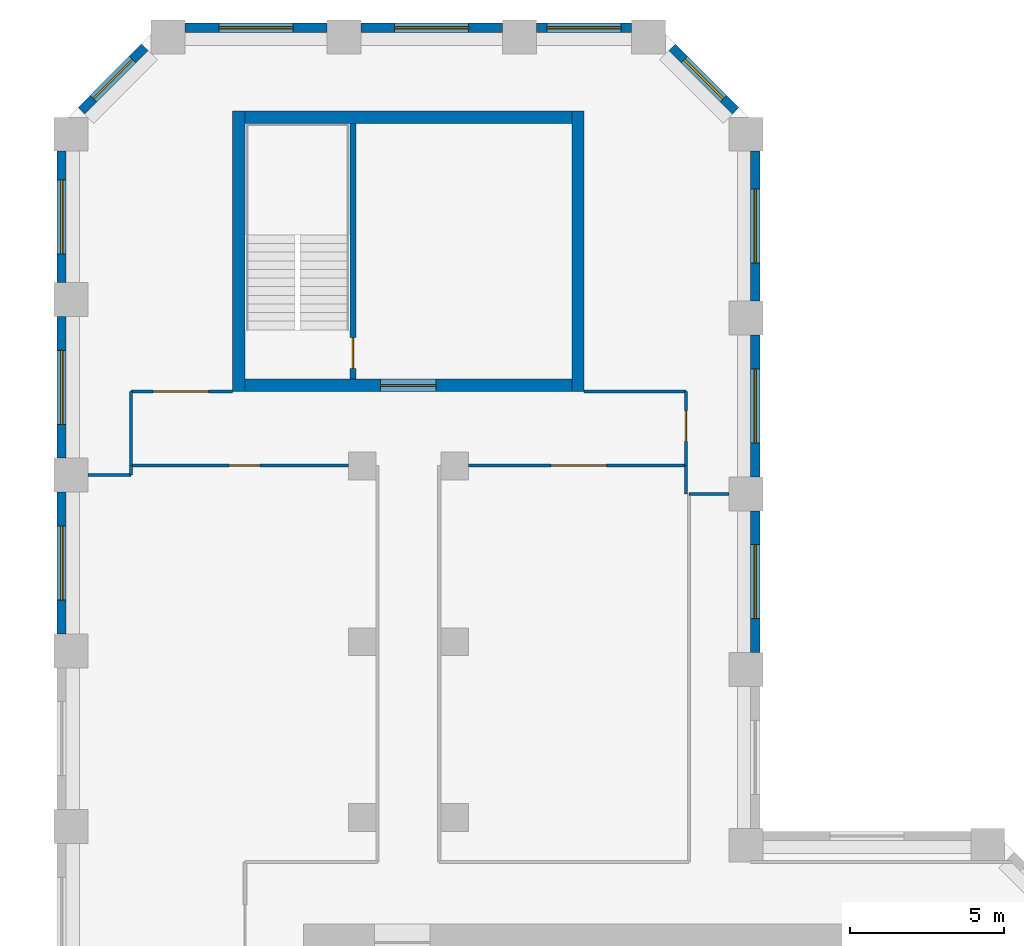
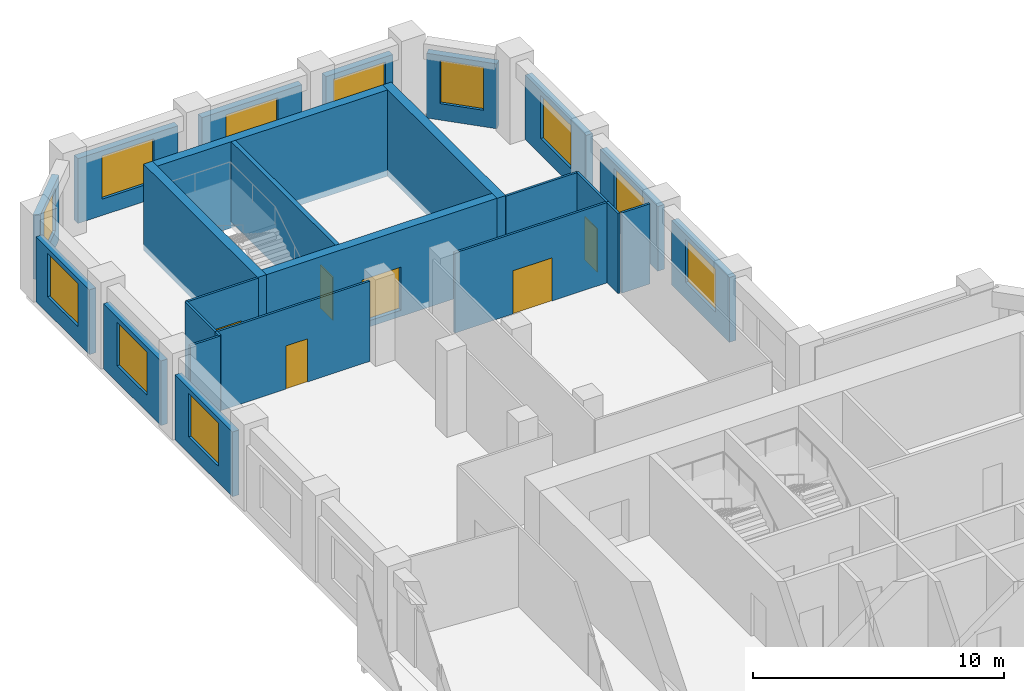
# One storey, part 8 of 10: 26 walls, 11 windows, 6 doors, 17 openings.
"""IFC4 building model written with IfcOpenShell, lengths in metres."""

import ifcopenshell
import ifcopenshell.guid

model = None  # the IFC model being written
_history = None  # IfcOwnerHistory: only IFC2X3 demands one
_inside = {}  # id of a spatial element -> (the spatial element, [elements in it])
_under = {}  # id of a project, library or spatial element -> (it, [spatial elements below it])
_declared = {}  # id of a project -> (the project, [libraries it declares])
_typed = {}  # id of a type object -> (the type object, [elements of that type])
_made_of = {}  # id of a material, layer set ... -> (it, [elements and type objects made of it])


def new_model(schema):
    """Start an empty IFC model of exactly this schema.

    Asked for "IFC4X3", IfcOpenShell would pick the latest addendum, in which some entities
    have other attributes; the version numbers below select the first issue.
    IFC2X3 requires an IfcOwnerHistory on every rooted entity: one is made here for all.
    """
    global model, _history
    if schema == "IFC4X3":
        model = ifcopenshell.file(schema_version=(4, 3, 0, 0))
    else:
        model = ifcopenshell.file(schema=schema)
    _inside.clear()
    _under.clear()
    _declared.clear()
    _typed.clear()
    _made_of.clear()
    _history = None
    if model.schema == "IFC2X3":
        org = make("IfcOrganization", Name="unknown")
        user = make(
            "IfcPersonAndOrganization",
            ThePerson=make("IfcPerson", FamilyName="unknown"),
            TheOrganization=org,
        )
        app = make(
            "IfcApplication",
            ApplicationDeveloper=org,
            Version="unknown",
            ApplicationFullName="unknown",
            ApplicationIdentifier="unknown",
        )
        _history = make(
            "IfcOwnerHistory",
            OwningUser=user,
            OwningApplication=app,
            ChangeAction="ADDED",
            CreationDate=0,
        )
    return model


def make(cls, **values):
    """One entity of the class cls with the attributes given. An attribute that is None is left unset."""
    return model.create_entity(
        cls, **{name: value for name, value in values.items() if value is not None}
    )


def rooted(cls, **values):
    """An entity with a GlobalId (a new one), such as an element, a storey or a relation."""
    return make(cls, GlobalId=ifcopenshell.guid.new(), OwnerHistory=_history, **values)


def si_unit(unit_type, name, prefix=None):
    """IfcSIUnit, for example si_unit("LENGTHUNIT", "METRE", prefix="MILLI")."""
    return make("IfcSIUnit", UnitType=unit_type, Prefix=prefix, Name=name)


def assignment(units):
    """IfcUnitAssignment: the units of a project."""
    return None if units is None else make("IfcUnitAssignment", Units=units)


def point(xyz):
    """IfcCartesianPoint."""
    return None if xyz is None else make("IfcCartesianPoint", Coordinates=xyz)


def direction(xyz):
    """IfcDirection."""
    return None if xyz is None else make("IfcDirection", DirectionRatios=xyz)


def frame(location, z_axis=None, x_axis=None):
    """IfcAxis2Placement3D, a coordinate frame: its origin and axes. An axis left out is left unset."""
    return make(
        "IfcAxis2Placement3D",
        Location=point(location),
        Axis=direction(z_axis),
        RefDirection=direction(x_axis),
    )


def frame_2d(location, x_axis=None):
    """IfcAxis2Placement2D, a coordinate frame in the plane: its origin and x axis."""
    return make(
        "IfcAxis2Placement2D", Location=point(location), RefDirection=direction(x_axis)
    )


def origin():
    """The frame at (0, 0, 0) with its axes left unset."""
    return frame((0.0, 0.0, 0.0))


def place(relative_to, where):
    """IfcLocalPlacement: puts the frame where relative to a parent placement (None: the world)."""
    return make(
        "IfcLocalPlacement", PlacementRelTo=relative_to, RelativePlacement=where
    )


def context(
    kind, dimensions, precision=None, world=None, true_north=None, identifier=None
):
    """IfcGeometricRepresentationContext, for example the 3D "Model" context."""
    return make(
        "IfcGeometricRepresentationContext",
        ContextIdentifier=identifier,
        ContextType=kind,
        CoordinateSpaceDimension=dimensions,
        Precision=precision,
        WorldCoordinateSystem=world,
        TrueNorth=true_north,
    )


def subcontext(parent, identifier, kind, view, scale=None):
    """IfcGeometricRepresentationSubContext, for example "Body" below "Model"."""
    return make(
        "IfcGeometricRepresentationSubContext",
        ContextIdentifier=identifier,
        ContextType=kind,
        ParentContext=parent,
        TargetScale=scale,
        TargetView=view,
    )


def project(units=None, contexts=None):
    """IfcProject with its units and contexts."""
    return rooted(
        "IfcProject",
        Name="project",
        RepresentationContexts=contexts,
        UnitsInContext=assignment(units),
    )


def spatial(cls, under=None, at=None, **own):
    """A site, building, storey or space (cls), placed at a placement, below another one or the project."""
    s = rooted(cls, ObjectPlacement=at, **own)
    if under is not None:
        _under.setdefault(under.id(), (under, []))[1].append(s)
    return s


def profile(cls, at=None, kind="AREA", **sizes):
    """A parametric profile (cls). Its sizes go by their IFC names, for example OverallWidth=200.0."""
    return make(cls, ProfileType=kind, Position=at, **sizes)


def rectangle(**sizes):
    """IfcRectangleProfileDef."""
    return profile("IfcRectangleProfileDef", **sizes)


def extrude(swept, where, along, depth):
    """IfcExtrudedAreaSolid: the profile swept, set in the frame where, extruded along a direction by depth."""
    return make(
        "IfcExtrudedAreaSolid",
        SweptArea=swept,
        Position=where,
        ExtrudedDirection=direction(along),
        Depth=depth,
    )


def shape(context_of_items, identifier, shape_type, items):
    """IfcShapeRepresentation: the items that make up one representation, for example the "Body"."""
    return make(
        "IfcShapeRepresentation",
        ContextOfItems=context_of_items,
        RepresentationIdentifier=identifier,
        RepresentationType=shape_type,
        Items=items,
    )


def material(Name=None, Category=None):
    """IfcMaterial."""
    return make("IfcMaterial", Name=Name, Category=Category)


def layer(
    of_material, thickness, ventilated=None, Name=None, Category=None, Priority=None
):
    """IfcMaterialLayer: one layer of a wall or slab, of a material (None: an air gap)."""
    return make(
        "IfcMaterialLayer",
        Material=of_material,
        LayerThickness=thickness,
        IsVentilated=ventilated,
        Name=Name,
        Category=Category,
        Priority=Priority,
    )


def layer_set(layers, Name=None):
    """IfcMaterialLayerSet."""
    return make("IfcMaterialLayerSet", MaterialLayers=layers, LayerSetName=Name)


def made_of(thing, what):
    """Note that an element or type object is made of a material, layer set ...; save() writes the relation."""
    if what is not None:
        _made_of.setdefault(what.id(), (what, []))[1].append(thing)
    return thing


def type_object(cls, material=None, **own):
    """A type object (cls), such as IfcWallType, which elements share."""
    return made_of(rooted(cls, **own), material)


def element(
    cls,
    number,
    at=None,
    inside=None,
    cuts=None,
    type_object=None,
    material=None,
    context=None,
    identifier="Body",
    shape_type=None,
    held_by="IfcProductDefinitionShape",
    body=None,
    shapes=None,
    **own,
):
    """One element of the class cls, such as IfcWall. Its Tag is "e" and its number.

    at: its placement. inside: the storey or other place that contains it. cuts: it is an
    opening in that element (IfcRelVoidsElement). A single representation is given by context,
    identifier, shape_type and body (its items); several are given by shapes. held_by: the class
    of the entity that holds the representations. save() writes the other relations.
    """
    e = rooted(cls, Tag="e%d" % number, ObjectPlacement=at, **own)
    if body is not None:
        shapes = [shape(context, identifier, shape_type, body)]
    if shapes is not None:
        e.Representation = make(held_by, Representations=shapes)
    if inside is not None:
        _inside.setdefault(inside.id(), (inside, []))[1].append(e)
    if cuts is not None:
        rooted(
            "IfcRelVoidsElement", RelatingBuildingElement=cuts, RelatedOpeningElement=e
        )
    if type_object is not None:
        _typed.setdefault(type_object.id(), (type_object, []))[1].append(e)
    return made_of(e, material)


def fill(opening, filler):
    """IfcRelFillsElement: the door or window that sits in an opening."""
    return rooted(
        "IfcRelFillsElement",
        RelatingOpeningElement=opening,
        RelatedBuildingElement=filler,
    )


def aggregate(whole, parts):
    """IfcRelAggregates: a whole, such as a stair, and the parts it consists of."""
    return rooted("IfcRelAggregates", RelatingObject=whole, RelatedObjects=parts)


def save(model, path):
    """Write the relations noted so far, then the file.

    IfcRelAggregates (storeys below a building ...), IfcRelContainedInSpatialStructure (elements
    in a storey), IfcRelDefinesByType, IfcRelAssociatesMaterial and IfcRelDeclares: one each for
    every whole, place, type object, material and project.
    """
    for whole, parts in _under.values():
        aggregate(whole, parts)
    for where, things in _inside.values():
        rooted(
            "IfcRelContainedInSpatialStructure",
            RelatedElements=things,
            RelatingStructure=where,
        )
    for kind, things in _typed.values():
        rooted("IfcRelDefinesByType", RelatedObjects=things, RelatingType=kind)
    for what, things in _made_of.values():
        rooted("IfcRelAssociatesMaterial", RelatedObjects=things, RelatingMaterial=what)
    for by, libraries in _declared.values():
        rooted("IfcRelDeclares", RelatingContext=by, RelatedDefinitions=libraries)
    model.write(path)


model = new_model("IFC4")

# Units and contexts
model_context = context("Model", 3, precision=1e-05, world=origin(), true_north=direction((0.0, 1.0)))
body_context = subcontext(model_context, "Body", "Model", "MODEL_VIEW")
ifc_project = project(units=[si_unit("LENGTHUNIT", "METRE"), si_unit("AREAUNIT", "SQUARE_METRE"), si_unit("VOLUMEUNIT", "CUBIC_METRE"), si_unit("PLANEANGLEUNIT", "RADIAN"), si_unit("MASSUNIT", "GRAM", prefix="KILO")], contexts=[model_context])

# Site, building, storey
site_placement = place(None, origin())
site = spatial("IfcSite", under=ifc_project, at=site_placement, CompositionType="ELEMENT")
building_placement = place(site_placement, origin())
building = spatial("IfcBuilding", under=site, at=building_placement, Name="Meshkara Civic Tower", CompositionType="ELEMENT")
storey_placement = place(building_placement, frame((0.0, 0.0, 263.39990234375)))
storey = spatial("IfcBuildingStorey", under=building, at=storey_placement, Name="L60", CompositionType="ELEMENT", Elevation=263.39990234375)

# Wall, opening, door
ifc_material_1 = material(Name="Corridor wall 100")
ifc_layer_1 = layer(ifc_material_1, 0.10009765625)
ifc_layer_set_1 = layer_set([ifc_layer_1], Name="Corridor wall 100")
wall_type_1 = type_object("IfcWallType", Name="Corridor wall 100", PredefinedType="PARTITIONING", material=ifc_layer_set_1)
wall_1_placement = place(storey_placement, frame((2.39990234375, 51.77001953125, 0.0), z_axis=(0.0, 0.0, 1.0), x_axis=(1.0, 0.0, 0.0)))
wall_1 = element("IfcWall", 1, at=wall_1_placement, inside=storey, type_object=wall_type_1, Name="L60-W001", PredefinedType="PARTITIONING", context=body_context, shape_type="SweptSolid", body=[
    extrude(rectangle(XDim=7.050048828125, YDim=0.10009765625, at=frame_2d((3.52490234375, 0.0))), origin(), (0.0, 0.0, 1.0), 3.900146484375),
])
opening_1_placement = place(wall_1_placement, frame((3.179931640625, 0.0, 0.0)))
opening_1 = element("IfcOpeningElement", 2, at=opening_1_placement, cuts=wall_1, Name="Opening L60-D021", PredefinedType="OPENING", context=body_context, shape_type="SweptSolid", body=[
    extrude(rectangle(XDim=1.0, YDim=2.10009765625, at=frame_2d((0.5, 1.050048828125))), frame((0.0, 0.06005859375, 0.0), z_axis=(0.0, -1.0, 0.0), x_axis=(1.0, 0.0, 0.0)), (0.0, 0.0, 1.0), 0.1201171875),
])
ifc_material_2 = material(Name="Door 1000 x 2100")
door_type_1 = type_object("IfcDoorType", Name="Door 1000 x 2100", OperationType="SINGLE_SWING_LEFT", PredefinedType="DOOR", material=ifc_material_2)
door_1_placement = place(opening_1_placement, origin())
door_1 = element("IfcDoor", 3, at=door_1_placement, inside=storey, type_object=door_type_1, Name="L60-D021", OperationType="SINGLE_SWING_LEFT", OverallHeight=2.10009765625, OverallWidth=1.0, PredefinedType="DOOR", context=body_context, shape_type="SweptSolid", body=[
    extrude(rectangle(XDim=1.0, YDim=2.10009765625, at=frame_2d((0.5, 1.050048828125))), frame((0.0, 0.02490234375, 0.0), z_axis=(0.0, -1.0, 0.0), x_axis=(1.0, 0.0, 0.0)), (0.0, 0.0, 1.0), 0.050048828125),
])
fill(opening_1, door_1)

# Wall
wall_2_placement = place(storey_placement, frame((2.39990234375, 54.169921875, 0.0), z_axis=(0.0, 0.0, 1.0), x_axis=(0.0, -1.0, 0.0)))
element("IfcWall", 4, at=wall_2_placement, inside=storey, type_object=wall_type_1, Name="L60-W002", PredefinedType="PARTITIONING", context=body_context, shape_type="SweptSolid", body=[
    extrude(rectangle(XDim=2.39990234375, YDim=0.10009765625, at=frame_2d((1.199951171875, 0.0))), origin(), (0.0, 0.0, 1.0), 3.900146484375),
])

# Wall, opening, door
wall_3_placement = place(storey_placement, frame((5.699951171875, 54.169921875, 0.0), z_axis=(0.0, 0.0, 1.0), x_axis=(-1.0, 0.0, 0.0)))
wall_3 = element("IfcWall", 5, at=wall_3_placement, inside=storey, type_object=wall_type_1, Name="L60-W003", PredefinedType="PARTITIONING", context=body_context, shape_type="SweptSolid", body=[
    extrude(rectangle(XDim=3.300048828125, YDim=0.10009765625, at=frame_2d((1.64990234375, 0.0))), origin(), (0.0, 0.0, 1.0), 3.900146484375),
])
opening_2_placement = place(wall_3_placement, frame((0.780029296875, 0.0, 0.0)))
opening_2 = element("IfcOpeningElement", 6, at=opening_2_placement, cuts=wall_3, Name="Opening L60-D024", PredefinedType="OPENING", context=body_context, shape_type="SweptSolid", body=[
    extrude(rectangle(XDim=1.800048828125, YDim=2.10009765625, at=frame_2d((0.89990234375, 1.050048828125))), frame((0.0, 0.06005859375, 0.0), z_axis=(0.0, -1.0, 0.0), x_axis=(1.0, 0.0, 0.0)), (0.0, 0.0, 1.0), 0.1201171875),
])
ifc_material_3 = material(Name="Door pair 1800 x 2100")
door_type_2 = type_object("IfcDoorType", Name="Door pair 1800 x 2100", OperationType="SINGLE_SWING_LEFT", PredefinedType="DOOR", material=ifc_material_3)
door_2_placement = place(opening_2_placement, origin())
door_2 = element("IfcDoor", 7, at=door_2_placement, inside=storey, type_object=door_type_2, Name="L60-D024", OperationType="DOUBLE_DOOR_SINGLE_SWING", OverallHeight=2.10009765625, OverallWidth=1.800048828125, PredefinedType="DOOR", context=body_context, shape_type="SweptSolid", body=[
    extrude(rectangle(XDim=1.800048828125, YDim=2.10009765625, at=frame_2d((0.89990234375, 1.050048828125))), frame((0.0, 0.02490234375, 0.0), z_axis=(0.0, -1.0, 0.0), x_axis=(1.0, 0.0, 0.0)), (0.0, 0.0, 1.0), 0.050048828125),
])
fill(opening_2, door_2)

wall_4_placement = place(storey_placement, frame((13.35009765625, 51.77001953125, 0.0), z_axis=(0.0, 0.0, 1.0), x_axis=(1.0, 0.0, 0.0)))
wall_4 = element("IfcWall", 8, at=wall_4_placement, inside=storey, type_object=wall_type_1, Name="L60-W015", PredefinedType="PARTITIONING", context=body_context, shape_type="SweptSolid", body=[
    extrude(rectangle(XDim=7.0498046875, YDim=0.10009765625, at=frame_2d((3.52490234375, 0.0))), origin(), (0.0, 0.0, 1.0), 3.900146484375),
])
opening_3_placement = place(wall_4_placement, frame((2.679931640625, 0.0, 0.0)))
opening_3 = element("IfcOpeningElement", 9, at=opening_3_placement, cuts=wall_4, Name="Opening L60-D022", PredefinedType="OPENING", context=body_context, shape_type="SweptSolid", body=[
    extrude(rectangle(XDim=1.800048828125, YDim=2.10009765625, at=frame_2d((0.89990234375, 1.050048828125))), frame((0.0, 0.06005859375, 0.0), z_axis=(0.0, -1.0, 0.0), x_axis=(1.0, 0.0, 0.0)), (0.0, 0.0, 1.0), 0.1201171875),
])
door_3_placement = place(opening_3_placement, origin())
door_3 = element("IfcDoor", 10, at=door_3_placement, inside=storey, type_object=door_type_2, Name="L60-D022", OperationType="DOUBLE_DOOR_SINGLE_SWING", OverallHeight=2.10009765625, OverallWidth=1.800048828125, PredefinedType="DOOR", context=body_context, shape_type="SweptSolid", body=[
    extrude(rectangle(XDim=1.800048828125, YDim=2.10009765625, at=frame_2d((0.89990234375, 1.050048828125))), frame((0.0, 0.02490234375, 0.0), z_axis=(0.0, -1.0, 0.0), x_axis=(1.0, 0.0, 0.0)), (0.0, 0.0, 1.0), 0.050048828125),
])
fill(opening_3, door_3)

wall_5_placement = place(storey_placement, frame((20.39990234375, 51.77001953125, 0.0), z_axis=(0.0, 0.0, 1.0), x_axis=(0.0, 1.0, 0.0)))
wall_5 = element("IfcWall", 11, at=wall_5_placement, inside=storey, type_object=wall_type_1, Name="L60-W016", PredefinedType="PARTITIONING", context=body_context, shape_type="SweptSolid", body=[
    extrude(rectangle(XDim=2.39990234375, YDim=0.10009765625, at=frame_2d((1.199951171875, 0.0))), origin(), (0.0, 0.0, 1.0), 3.900146484375),
])
opening_4_placement = place(wall_5_placement, frame((0.780029296875, 0.0, 0.0)))
opening_4 = element("IfcOpeningElement", 12, at=opening_4_placement, cuts=wall_5, Name="Opening L60-D023", PredefinedType="OPENING", context=body_context, shape_type="SweptSolid", body=[
    extrude(rectangle(XDim=1.0, YDim=2.10009765625, at=frame_2d((0.5, 1.050048828125))), frame((0.0, 0.06005859375, 0.0), z_axis=(0.0, -1.0, 0.0), x_axis=(1.0, 0.0, 0.0)), (0.0, 0.0, 1.0), 0.1201171875),
])
door_4_placement = place(opening_4_placement, origin())
door_4 = element("IfcDoor", 13, at=door_4_placement, inside=storey, type_object=door_type_1, Name="L60-D023", OperationType="SINGLE_SWING_LEFT", OverallHeight=2.10009765625, OverallWidth=1.0, PredefinedType="DOOR", context=body_context, shape_type="SweptSolid", body=[
    extrude(rectangle(XDim=1.0, YDim=2.10009765625, at=frame_2d((0.5, 1.050048828125))), frame((0.0, 0.02490234375, 0.0), z_axis=(0.0, -1.0, 0.0), x_axis=(1.0, 0.0, 0.0)), (0.0, 0.0, 1.0), 0.050048828125),
])
fill(opening_4, door_4)

# Walls
wall_6_placement = place(storey_placement, frame((20.39990234375, 54.169921875, 0.0), z_axis=(0.0, 0.0, 1.0), x_axis=(-1.0, 0.0, 0.0)))
element("IfcWall", 14, at=wall_6_placement, inside=storey, type_object=wall_type_1, Name="L60-W017", PredefinedType="PARTITIONING", context=body_context, shape_type="SweptSolid", body=[
    extrude(rectangle(XDim=3.2998046875, YDim=0.10009765625, at=frame_2d((1.64990234375, 0.0))), origin(), (0.0, 0.0, 1.0), 3.900146484375),
])
wall_7_placement = place(storey_placement, frame((21.800048828125, 50.85009765625, 0.0), z_axis=(0.0, 0.0, 1.0), x_axis=(-1.0, 0.0, 0.0)))
element("IfcWall", 15, at=wall_7_placement, inside=storey, type_object=wall_type_1, Name="L60-W020", PredefinedType="PARTITIONING", context=body_context, shape_type="SweptSolid", body=[
    extrude(rectangle(XDim=1.300048828125, YDim=0.10009765625, at=frame_2d((0.64990234375, 0.0))), origin(), (0.0, 0.0, 1.0), 3.900146484375),
])

# Wall, opening, window
ifc_material_4 = material(Name="Insulated infill panel with bronze anodised aluminium cladding", Category="aluminium")
ifc_layer_2 = layer(ifc_material_4, 0.300048828125)
ifc_layer_set_2 = layer_set([ifc_layer_2], Name="EXTERNAL INFILL WALL 300")
wall_type_2 = type_object("IfcWallType", Name="EXTERNAL INFILL WALL 300", PredefinedType="SOLIDWALL", material=ifc_layer_set_2)
wall_8_placement = place(storey_placement, frame((22.64990234375, 45.699951171875, 0.0), z_axis=(0.0, 0.0, 1.0), x_axis=(0.0, 1.0, 0.0)))
wall_8 = element("IfcWall", 16, at=wall_8_placement, inside=storey, type_object=wall_type_2, Name="External wall", PredefinedType="SOLIDWALL", context=body_context, shape_type="SweptSolid", body=[
    extrude(rectangle(XDim=4.60009765625, YDim=0.300048828125, at=frame_2d((2.300048828125, 0.0))), origin(), (0.0, 0.0, 1.0), 3.150146484375),
])
opening_5_placement = place(wall_8_placement, frame((1.10009765625, 0.0, 0.800048828125)))
opening_5 = element("IfcOpeningElement", 17, at=opening_5_placement, cuts=wall_8, Name="Opening W7", PredefinedType="OPENING", context=body_context, shape_type="SweptSolid", body=[
    extrude(rectangle(XDim=2.39990234375, YDim=2.10009765625, at=frame_2d((1.199951171875, 1.050048828125))), frame((0.0, 0.159912109375, 0.0), z_axis=(0.0, -1.0, 0.0), x_axis=(1.0, 0.0, 0.0)), (0.0, 0.0, 1.0), 0.320068359375),
])
ifc_material_5 = material(Name="Tinted double glazing", Category="glass")
window_type_1 = type_object("IfcWindowType", Name="WINDOW 2400x2100", PartitioningType="DOUBLE_PANEL_VERTICAL", PredefinedType="WINDOW", material=ifc_material_5)
window_1_placement = place(opening_5_placement, origin())
window_1 = element("IfcWindow", 18, at=window_1_placement, inside=storey, type_object=window_type_1, Name="Window", OverallHeight=2.10009765625, OverallWidth=2.39990234375, PartitioningType="DOUBLE_PANEL_VERTICAL", PredefinedType="WINDOW", context=body_context, shape_type="SweptSolid", body=[
    extrude(rectangle(XDim=2.39990234375, YDim=2.10009765625, at=frame_2d((1.199951171875, 1.050048828125))), frame((0.0, 0.030029296875, 0.0), z_axis=(0.0, -1.0, 0.0), x_axis=(1.0, 0.0, 0.0)), (0.0, 0.0, 1.0), 0.06005859375),
])
fill(opening_5, window_1)

wall_9_placement = place(storey_placement, frame((22.64990234375, 51.39990234375, 0.0), z_axis=(0.0, 0.0, 1.0), x_axis=(0.0, 1.0, 0.0)))
wall_9 = element("IfcWall", 19, at=wall_9_placement, inside=storey, type_object=wall_type_2, Name="External wall", PredefinedType="SOLIDWALL", context=body_context, shape_type="SweptSolid", body=[
    extrude(rectangle(XDim=4.60009765625, YDim=0.300048828125, at=frame_2d((2.300048828125, 0.0))), origin(), (0.0, 0.0, 1.0), 3.150146484375),
])
opening_6_placement = place(wall_9_placement, frame((1.10009765625, 0.0, 0.800048828125)))
opening_6 = element("IfcOpeningElement", 20, at=opening_6_placement, cuts=wall_9, Name="Opening W7", PredefinedType="OPENING", context=body_context, shape_type="SweptSolid", body=[
    extrude(rectangle(XDim=2.39990234375, YDim=2.10009765625, at=frame_2d((1.199951171875, 1.050048828125))), frame((0.0, 0.159912109375, 0.0), z_axis=(0.0, -1.0, 0.0), x_axis=(1.0, 0.0, 0.0)), (0.0, 0.0, 1.0), 0.320068359375),
])
window_2_placement = place(opening_6_placement, origin())
window_2 = element("IfcWindow", 21, at=window_2_placement, inside=storey, type_object=window_type_1, Name="Window", OverallHeight=2.10009765625, OverallWidth=2.39990234375, PartitioningType="DOUBLE_PANEL_VERTICAL", PredefinedType="WINDOW", context=body_context, shape_type="SweptSolid", body=[
    extrude(rectangle(XDim=2.39990234375, YDim=2.10009765625, at=frame_2d((1.199951171875, 1.050048828125))), frame((0.0, 0.030029296875, 0.0), z_axis=(0.0, -1.0, 0.0), x_axis=(1.0, 0.0, 0.0)), (0.0, 0.0, 1.0), 0.06005859375),
])
fill(opening_6, window_2)

wall_10_placement = place(storey_placement, frame((22.64990234375, 57.10009765625, 0.0), z_axis=(0.0, 0.0, 1.0), x_axis=(0.0, 1.0, 0.0)))
wall_10 = element("IfcWall", 22, at=wall_10_placement, inside=storey, type_object=wall_type_2, Name="External wall", PredefinedType="SOLIDWALL", context=body_context, shape_type="SweptSolid", body=[
    extrude(rectangle(XDim=4.864013671875, YDim=0.300048828125, at=frame_2d((2.43212890625, 0.0))), origin(), (0.0, 0.0, 1.0), 3.150146484375),
])
opening_7_placement = place(wall_10_placement, frame((1.23193359375, 0.0, 0.800048828125)))
opening_7 = element("IfcOpeningElement", 23, at=opening_7_placement, cuts=wall_10, Name="Opening W7", PredefinedType="OPENING", context=body_context, shape_type="SweptSolid", body=[
    extrude(rectangle(XDim=2.39990234375, YDim=2.10009765625, at=frame_2d((1.199951171875, 1.050048828125))), frame((0.0, 0.159912109375, 0.0), z_axis=(0.0, -1.0, 0.0), x_axis=(1.0, 0.0, 0.0)), (0.0, 0.0, 1.0), 0.320068359375),
])
window_3_placement = place(opening_7_placement, origin())
window_3 = element("IfcWindow", 24, at=window_3_placement, inside=storey, type_object=window_type_1, Name="Window", OverallHeight=2.10009765625, OverallWidth=2.39990234375, PartitioningType="DOUBLE_PANEL_VERTICAL", PredefinedType="WINDOW", context=body_context, shape_type="SweptSolid", body=[
    extrude(rectangle(XDim=2.39990234375, YDim=2.10009765625, at=frame_2d((1.199951171875, 1.050048828125))), frame((0.0, 0.030029296875, 0.0), z_axis=(0.0, -1.0, 0.0), x_axis=(1.0, 0.0, 0.0)), (0.0, 0.0, 1.0), 0.06005859375),
])
fill(opening_7, window_3)

wall_11_placement = place(storey_placement, frame((22.011962890625, 63.27587890625, 0.0), z_axis=(0.0, 0.0, 1.0), x_axis=(-0.707064797706, 0.707148762175, 0.0)))
wall_11 = element("IfcWall", 25, at=wall_11_placement, inside=storey, type_object=wall_type_2, Name="External wall", PredefinedType="SOLIDWALL", context=body_context, shape_type="SweptSolid", body=[
    extrude(rectangle(XDim=2.90771484375, YDim=0.300048828125, at=frame_2d((1.453857421875, 0.0))), origin(), (0.0, 0.0, 1.0), 3.150146484375),
])
opening_8_placement = place(wall_11_placement, frame((0.553955078125, 0.0, 0.800048828125)))
opening_8 = element("IfcOpeningElement", 26, at=opening_8_placement, cuts=wall_11, Name="Opening W9", PredefinedType="OPENING", context=body_context, shape_type="SweptSolid", body=[
    extrude(rectangle(XDim=1.800048828125, YDim=2.10009765625, at=frame_2d((0.89990234375, 1.050048828125))), frame((0.0, 0.159912109375, 0.0), z_axis=(0.0, -1.0, 0.0), x_axis=(1.0, 0.0, 0.0)), (0.0, 0.0, 1.0), 0.320068359375),
])
ifc_material_6 = material(Name="Tinted double glazing", Category="glass")
window_type_2 = type_object("IfcWindowType", Name="WINDOW 1800x2100", PartitioningType="DOUBLE_PANEL_VERTICAL", PredefinedType="WINDOW", material=ifc_material_6)
window_4_placement = place(opening_8_placement, origin())
window_4 = element("IfcWindow", 27, at=window_4_placement, inside=storey, type_object=window_type_2, Name="Window", OverallHeight=2.10009765625, OverallWidth=1.800048828125, PartitioningType="DOUBLE_PANEL_VERTICAL", PredefinedType="WINDOW", context=body_context, shape_type="SweptSolid", body=[
    extrude(rectangle(XDim=1.800048828125, YDim=2.10009765625, at=frame_2d((0.89990234375, 1.050048828125))), frame((0.0, 0.030029296875, 0.0), z_axis=(0.0, -1.0, 0.0), x_axis=(1.0, 0.0, 0.0)), (0.0, 0.0, 1.0), 0.06005859375),
])
fill(opening_8, window_4)

wall_12_placement = place(storey_placement, frame((18.64404296875, 65.969970703125, 0.0), z_axis=(0.0, 0.0, 1.0), x_axis=(-1.0, 0.0, 0.0)))
wall_12 = element("IfcWall", 28, at=wall_12_placement, inside=storey, type_object=wall_type_2, Name="External wall", PredefinedType="SOLIDWALL", context=body_context, shape_type="SweptSolid", body=[
    extrude(rectangle(XDim=3.088134765625, YDim=0.300048828125, at=frame_2d((1.5439453125, 0.0))), origin(), (0.0, 0.0, 1.0), 3.150146484375),
])
opening_9_placement = place(wall_12_placement, frame((0.343994140625, 0.0, 0.800048828125)))
opening_9 = element("IfcOpeningElement", 29, at=opening_9_placement, cuts=wall_12, Name="Opening W7", PredefinedType="OPENING", context=body_context, shape_type="SweptSolid", body=[
    extrude(rectangle(XDim=2.39990234375, YDim=2.10009765625, at=frame_2d((1.199951171875, 1.050048828125))), frame((0.0, 0.159912109375, 0.0), z_axis=(0.0, -1.0, 0.0), x_axis=(1.0, 0.0, 0.0)), (0.0, 0.0, 1.0), 0.320068359375),
])
window_5_placement = place(opening_9_placement, origin())
window_5 = element("IfcWindow", 30, at=window_5_placement, inside=storey, type_object=window_type_1, Name="Window", OverallHeight=2.10009765625, OverallWidth=2.39990234375, PartitioningType="DOUBLE_PANEL_VERTICAL", PredefinedType="WINDOW", context=body_context, shape_type="SweptSolid", body=[
    extrude(rectangle(XDim=2.39990234375, YDim=2.10009765625, at=frame_2d((1.199951171875, 1.050048828125))), frame((0.0, 0.030029296875, 0.0), z_axis=(0.0, -1.0, 0.0), x_axis=(1.0, 0.0, 0.0)), (0.0, 0.0, 1.0), 0.06005859375),
])
fill(opening_9, window_5)

wall_13_placement = place(storey_placement, frame((14.4560546875, 65.969970703125, 0.0), z_axis=(0.0, 0.0, 1.0), x_axis=(-1.0, 0.0, 0.0)))
wall_13 = element("IfcWall", 31, at=wall_13_placement, inside=storey, type_object=wall_type_2, Name="External wall", PredefinedType="SOLIDWALL", context=body_context, shape_type="SweptSolid", body=[
    extrude(rectangle(XDim=4.60009765625, YDim=0.300048828125, at=frame_2d((2.300048828125, 0.0))), origin(), (0.0, 0.0, 1.0), 3.150146484375),
])
opening_10_placement = place(wall_13_placement, frame((1.10009765625, 0.0, 0.800048828125)))
opening_10 = element("IfcOpeningElement", 32, at=opening_10_placement, cuts=wall_13, Name="Opening W7", PredefinedType="OPENING", context=body_context, shape_type="SweptSolid", body=[
    extrude(rectangle(XDim=2.39990234375, YDim=2.10009765625, at=frame_2d((1.199951171875, 1.050048828125))), frame((0.0, 0.159912109375, 0.0), z_axis=(0.0, -1.0, 0.0), x_axis=(1.0, 0.0, 0.0)), (0.0, 0.0, 1.0), 0.320068359375),
])
window_6_placement = place(opening_10_placement, origin())
window_6 = element("IfcWindow", 33, at=window_6_placement, inside=storey, type_object=window_type_1, Name="Window", OverallHeight=2.10009765625, OverallWidth=2.39990234375, PartitioningType="DOUBLE_PANEL_VERTICAL", PredefinedType="WINDOW", context=body_context, shape_type="SweptSolid", body=[
    extrude(rectangle(XDim=2.39990234375, YDim=2.10009765625, at=frame_2d((1.199951171875, 1.050048828125))), frame((0.0, 0.030029296875, 0.0), z_axis=(0.0, -1.0, 0.0), x_axis=(1.0, 0.0, 0.0)), (0.0, 0.0, 1.0), 0.06005859375),
])
fill(opening_10, window_6)

wall_14_placement = place(storey_placement, frame((8.756103515625, 65.969970703125, 0.0), z_axis=(0.0, 0.0, 1.0), x_axis=(-1.0, 0.0, 0.0)))
wall_14 = element("IfcWall", 34, at=wall_14_placement, inside=storey, type_object=wall_type_2, Name="External wall", PredefinedType="SOLIDWALL", context=body_context, shape_type="SweptSolid", body=[
    extrude(rectangle(XDim=4.60009765625, YDim=0.300048828125, at=frame_2d((2.300048828125, 0.0))), origin(), (0.0, 0.0, 1.0), 3.150146484375),
])
opening_11_placement = place(wall_14_placement, frame((1.10009765625, 0.0, 0.800048828125)))
opening_11 = element("IfcOpeningElement", 35, at=opening_11_placement, cuts=wall_14, Name="Opening W7", PredefinedType="OPENING", context=body_context, shape_type="SweptSolid", body=[
    extrude(rectangle(XDim=2.39990234375, YDim=2.10009765625, at=frame_2d((1.199951171875, 1.050048828125))), frame((0.0, 0.159912109375, 0.0), z_axis=(0.0, -1.0, 0.0), x_axis=(1.0, 0.0, 0.0)), (0.0, 0.0, 1.0), 0.320068359375),
])
window_7_placement = place(opening_11_placement, origin())
window_7 = element("IfcWindow", 36, at=window_7_placement, inside=storey, type_object=window_type_1, Name="Window", OverallHeight=2.10009765625, OverallWidth=2.39990234375, PartitioningType="DOUBLE_PANEL_VERTICAL", PredefinedType="WINDOW", context=body_context, shape_type="SweptSolid", body=[
    extrude(rectangle(XDim=2.39990234375, YDim=2.10009765625, at=frame_2d((1.199951171875, 1.050048828125))), frame((0.0, 0.030029296875, 0.0), z_axis=(0.0, -1.0, 0.0), x_axis=(1.0, 0.0, 0.0)), (0.0, 0.0, 1.0), 0.06005859375),
])
fill(opening_11, window_7)

wall_15_placement = place(storey_placement, frame((2.843994140625, 65.33203125, 0.0), z_axis=(0.0, 0.0, 1.0), x_axis=(-0.707064797706, -0.707148762175, 0.0)))
wall_15 = element("IfcWall", 37, at=wall_15_placement, inside=storey, type_object=wall_type_2, Name="External wall", PredefinedType="SOLIDWALL", context=body_context, shape_type="SweptSolid", body=[
    extrude(rectangle(XDim=2.90771484375, YDim=0.300048828125, at=frame_2d((1.453857421875, 0.0))), origin(), (0.0, 0.0, 1.0), 3.150146484375),
])
opening_12_placement = place(wall_15_placement, frame((0.553955078125, 0.0, 0.800048828125)))
opening_12 = element("IfcOpeningElement", 38, at=opening_12_placement, cuts=wall_15, Name="Opening W9", PredefinedType="OPENING", context=body_context, shape_type="SweptSolid", body=[
    extrude(rectangle(XDim=1.800048828125, YDim=2.10009765625, at=frame_2d((0.89990234375, 1.050048828125))), frame((0.0, 0.159912109375, 0.0), z_axis=(0.0, -1.0, 0.0), x_axis=(1.0, 0.0, 0.0)), (0.0, 0.0, 1.0), 0.320068359375),
])
window_8_placement = place(opening_12_placement, origin())
window_8 = element("IfcWindow", 39, at=window_8_placement, inside=storey, type_object=window_type_2, Name="Window", OverallHeight=2.10009765625, OverallWidth=1.800048828125, PartitioningType="DOUBLE_PANEL_VERTICAL", PredefinedType="WINDOW", context=body_context, shape_type="SweptSolid", body=[
    extrude(rectangle(XDim=1.800048828125, YDim=2.10009765625, at=frame_2d((0.89990234375, 1.050048828125))), frame((0.0, 0.030029296875, 0.0), z_axis=(0.0, -1.0, 0.0), x_axis=(1.0, 0.0, 0.0)), (0.0, 0.0, 1.0), 0.06005859375),
])
fill(opening_12, window_8)

wall_16_placement = place(storey_placement, frame((0.14990234375, 61.964111328125, 0.0), z_axis=(0.0, 0.0, 1.0), x_axis=(0.0, -1.0, 0.0)))
wall_16 = element("IfcWall", 40, at=wall_16_placement, inside=storey, type_object=wall_type_2, Name="External wall", PredefinedType="SOLIDWALL", context=body_context, shape_type="SweptSolid", body=[
    extrude(rectangle(XDim=4.259033203125, YDim=0.300048828125, at=frame_2d((2.12939453125, 0.0))), origin(), (0.0, 0.0, 1.0), 3.150146484375),
])
opening_13_placement = place(wall_16_placement, frame((0.929931640625, 0.0, 0.800048828125)))
opening_13 = element("IfcOpeningElement", 41, at=opening_13_placement, cuts=wall_16, Name="Opening W7", PredefinedType="OPENING", context=body_context, shape_type="SweptSolid", body=[
    extrude(rectangle(XDim=2.39990234375, YDim=2.10009765625, at=frame_2d((1.199951171875, 1.050048828125))), frame((0.0, 0.159912109375, 0.0), z_axis=(0.0, -1.0, 0.0), x_axis=(1.0, 0.0, 0.0)), (0.0, 0.0, 1.0), 0.320068359375),
])
window_9_placement = place(opening_13_placement, origin())
window_9 = element("IfcWindow", 42, at=window_9_placement, inside=storey, type_object=window_type_1, Name="Window", OverallHeight=2.10009765625, OverallWidth=2.39990234375, PartitioningType="DOUBLE_PANEL_VERTICAL", PredefinedType="WINDOW", context=body_context, shape_type="SweptSolid", body=[
    extrude(rectangle(XDim=2.39990234375, YDim=2.10009765625, at=frame_2d((1.199951171875, 1.050048828125))), frame((0.0, 0.030029296875, 0.0), z_axis=(0.0, -1.0, 0.0), x_axis=(1.0, 0.0, 0.0)), (0.0, 0.0, 1.0), 0.06005859375),
])
fill(opening_13, window_9)

wall_17_placement = place(storey_placement, frame((0.14990234375, 56.60498046875, 0.0), z_axis=(0.0, 0.0, 1.0), x_axis=(0.0, -1.0, 0.0)))
wall_17 = element("IfcWall", 43, at=wall_17_placement, inside=storey, type_object=wall_type_2, Name="External wall", PredefinedType="SOLIDWALL", context=body_context, shape_type="SweptSolid", body=[
    extrude(rectangle(XDim=4.60009765625, YDim=0.300048828125, at=frame_2d((2.300048828125, 0.0))), origin(), (0.0, 0.0, 1.0), 3.150146484375),
])
opening_14_placement = place(wall_17_placement, frame((1.10009765625, 0.0, 0.800048828125)))
opening_14 = element("IfcOpeningElement", 44, at=opening_14_placement, cuts=wall_17, Name="Opening W7", PredefinedType="OPENING", context=body_context, shape_type="SweptSolid", body=[
    extrude(rectangle(XDim=2.39990234375, YDim=2.10009765625, at=frame_2d((1.199951171875, 1.050048828125))), frame((0.0, 0.159912109375, 0.0), z_axis=(0.0, -1.0, 0.0), x_axis=(1.0, 0.0, 0.0)), (0.0, 0.0, 1.0), 0.320068359375),
])
window_10_placement = place(opening_14_placement, origin())
window_10 = element("IfcWindow", 45, at=window_10_placement, inside=storey, type_object=window_type_1, Name="Window", OverallHeight=2.10009765625, OverallWidth=2.39990234375, PartitioningType="DOUBLE_PANEL_VERTICAL", PredefinedType="WINDOW", context=body_context, shape_type="SweptSolid", body=[
    extrude(rectangle(XDim=2.39990234375, YDim=2.10009765625, at=frame_2d((1.199951171875, 1.050048828125))), frame((0.0, 0.030029296875, 0.0), z_axis=(0.0, -1.0, 0.0), x_axis=(1.0, 0.0, 0.0)), (0.0, 0.0, 1.0), 0.06005859375),
])
fill(opening_14, window_10)

wall_18_placement = place(storey_placement, frame((0.14990234375, 50.905029296875, 0.0), z_axis=(0.0, 0.0, 1.0), x_axis=(0.0, -1.0, 0.0)))
wall_18 = element("IfcWall", 46, at=wall_18_placement, inside=storey, type_object=wall_type_2, Name="External wall", PredefinedType="SOLIDWALL", context=body_context, shape_type="SweptSolid", body=[
    extrude(rectangle(XDim=4.60009765625, YDim=0.300048828125, at=frame_2d((2.300048828125, 0.0))), origin(), (0.0, 0.0, 1.0), 3.150146484375),
])
opening_15_placement = place(wall_18_placement, frame((1.10009765625, 0.0, 0.800048828125)))
opening_15 = element("IfcOpeningElement", 47, at=opening_15_placement, cuts=wall_18, Name="Opening W7", PredefinedType="OPENING", context=body_context, shape_type="SweptSolid", body=[
    extrude(rectangle(XDim=2.39990234375, YDim=2.10009765625, at=frame_2d((1.199951171875, 1.050048828125))), frame((0.0, 0.159912109375, 0.0), z_axis=(0.0, -1.0, 0.0), x_axis=(1.0, 0.0, 0.0)), (0.0, 0.0, 1.0), 0.320068359375),
])
window_11_placement = place(opening_15_placement, origin())
window_11 = element("IfcWindow", 48, at=window_11_placement, inside=storey, type_object=window_type_1, Name="Window", OverallHeight=2.10009765625, OverallWidth=2.39990234375, PartitioningType="DOUBLE_PANEL_VERTICAL", PredefinedType="WINDOW", context=body_context, shape_type="SweptSolid", body=[
    extrude(rectangle(XDim=2.39990234375, YDim=2.10009765625, at=frame_2d((1.199951171875, 1.050048828125))), frame((0.0, 0.030029296875, 0.0), z_axis=(0.0, -1.0, 0.0), x_axis=(1.0, 0.0, 0.0)), (0.0, 0.0, 1.0), 0.06005859375),
])
fill(opening_15, window_11)

# Walls
ifc_material_7 = material(Name="Concrete C60", Category="concrete")
ifc_layer_3 = layer(ifc_material_7, 0.39990234375)
ifc_layer_set_3 = layer_set([ifc_layer_3], Name="End core ring wall 400 C60")
wall_type_3 = type_object("IfcWallType", Name="End core ring wall 400 C60", PredefinedType="SHEAR", material=ifc_layer_set_3)
for number, where, z_axis, x_axis, name in (
    (49, (5.89990234375, 54.169921875, -0.2998046875), (0.0, 0.0, 1.0), (0.0, 1.0, 0.0), "L60-C022"),
    (50, (16.89990234375, 54.169921875, -0.2998046875), (0.0, 0.0, 1.0), (0.0, 1.0, 0.0), "L60-C023"),
):
    element("IfcWall", number, at=place(storey_placement, frame(where, z_axis=z_axis, x_axis=x_axis)), inside=storey, type_object=wall_type_3, Name=name, PredefinedType="SHEAR", context=body_context, shape_type="SweptSolid", body=[
        extrude(rectangle(XDim=9.10009765625, YDim=0.39990234375, at=frame_2d((4.550048828125, 0.0))), origin(), (0.0, 0.0, 1.0), 4.199951171875),
    ])

# Wall, opening, door
wall_19_placement = place(storey_placement, frame((6.10009765625, 54.3701171875, -0.2998046875), z_axis=(0.0, 0.0, 1.0), x_axis=(1.0, 0.0, 0.0)))
wall_19 = element("IfcWall", 51, at=wall_19_placement, inside=storey, type_object=wall_type_3, Name="L60-C024", PredefinedType="SHEAR", context=body_context, shape_type="SweptSolid", body=[
    extrude(rectangle(XDim=10.599853515625, YDim=0.39990234375, at=frame_2d((5.2998046875, 0.0))), origin(), (0.0, 0.0, 1.0), 4.199951171875),
])
opening_16_placement = place(wall_19_placement, frame((4.39990234375, 0.0, 0.300048828125)))
opening_16 = element("IfcOpeningElement", 52, at=opening_16_placement, cuts=wall_19, Name="Opening L60-K102", PredefinedType="OPENING", context=body_context, shape_type="SweptSolid", body=[
    extrude(rectangle(XDim=1.800048828125, YDim=2.10009765625, at=frame_2d((0.89990234375, 1.050048828125))), frame((0.0, 0.2099609375, 0.0), z_axis=(0.0, -1.0, 0.0), x_axis=(1.0, 0.0, 0.0)), (0.0, 0.0, 1.0), 0.419921875),
])
ifc_material_8 = material(Name="Fire-rated door leaf in steel frame", Category="steel")
door_type_3 = type_object("IfcDoorType", Name="Core double door 1800 EI 60", OperationType="DOUBLE_DOOR_SINGLE_SWING", PredefinedType="DOOR", material=ifc_material_8)
door_5_placement = place(opening_16_placement, origin())
door_5 = element("IfcDoor", 53, at=door_5_placement, inside=storey, type_object=door_type_3, Name="L60-K102", OperationType="DOUBLE_DOOR_SINGLE_SWING", OverallHeight=2.10009765625, OverallWidth=1.800048828125, PredefinedType="DOOR", context=body_context, shape_type="SweptSolid", body=[
    extrude(rectangle(XDim=1.800048828125, YDim=2.10009765625, at=frame_2d((0.89990234375, 1.050048828125))), frame((0.0, 0.02490234375, 0.0), z_axis=(0.0, -1.0, 0.0), x_axis=(1.0, 0.0, 0.0)), (0.0, 0.0, 1.0), 0.050048828125),
])
fill(opening_16, door_5)

# Walls
wall_20_placement = place(storey_placement, frame((6.10009765625, 63.070068359375, -0.2998046875), z_axis=(0.0, 0.0, 1.0), x_axis=(1.0, 0.0, 0.0)))
element("IfcWall", 54, at=wall_20_placement, inside=storey, type_object=wall_type_3, Name="L60-C025", PredefinedType="SHEAR", context=body_context, shape_type="SweptSolid", body=[
    extrude(rectangle(XDim=10.599853515625, YDim=0.39990234375, at=frame_2d((5.2998046875, 0.0))), origin(), (0.0, 0.0, 1.0), 4.199951171875),
])
ifc_material_9 = material(Name="Partition 100")
ifc_layer_4 = layer(ifc_material_9, 0.10009765625)
ifc_layer_set_4 = layer_set([ifc_layer_4], Name="Partition 100")
wall_type_4 = type_object("IfcWallType", Name="Partition 100", PredefinedType="PARTITIONING", material=ifc_layer_set_4)
wall_21_placement = place(storey_placement, frame((2.39990234375, 51.455078125, 0.0), z_axis=(0.0, 0.0, 1.0), x_axis=(-1.0, 0.0, 0.0)))
element("IfcWall", 55, at=wall_21_placement, inside=storey, type_object=wall_type_4, Name="L60-W034", PredefinedType="PARTITIONING", context=body_context, shape_type="SweptSolid", body=[
    extrude(rectangle(XDim=1.39990234375, YDim=0.10009765625, at=frame_2d((0.699951171875, 0.0))), origin(), (0.0, 0.0, 1.0), 3.900146484375),
])
wall_22_placement = place(storey_placement, frame((2.39990234375, 51.77392578125, 0.0), z_axis=(0.0, 0.0, 1.0), x_axis=(0.0, -1.0, 0.0)))
element("IfcWall", 56, at=wall_22_placement, inside=storey, type_object=wall_type_4, Name="L60-W035", PredefinedType="PARTITIONING", context=body_context, shape_type="SweptSolid", body=[
    extrude(rectangle(XDim=0.31884765625, YDim=0.10009765625, at=frame_2d((0.159423828125, 0.0))), origin(), (0.0, 0.0, 1.0), 3.900146484375),
])
wall_23_placement = place(storey_placement, frame((20.39990234375, 50.85009765625, 0.0), z_axis=(0.0, 0.0, 1.0), x_axis=(0.0, 1.0, 0.0)))
element("IfcWall", 57, at=wall_23_placement, inside=storey, type_object=wall_type_4, Name="L60-W044", PredefinedType="PARTITIONING", context=body_context, shape_type="SweptSolid", body=[
    extrude(rectangle(XDim=0.923828125, YDim=0.10009765625, at=frame_2d((0.4619140625, 0.0))), origin(), (0.0, 0.0, 1.0), 3.900146484375),
])

# Wall, opening, door
ifc_material_10 = material(Name="Concrete C40/50", Category="concrete")
ifc_layer_5 = layer(ifc_material_10, 0.199951171875)
ifc_layer_set_5 = layer_set([ifc_layer_5], Name="Stair enclosure wall 200 C40/50")
wall_type_5 = type_object("IfcWallType", Name="Stair enclosure wall 200 C40/50", PredefinedType="SOLIDWALL", material=ifc_layer_set_5)
wall_24_placement = place(storey_placement, frame((9.60009765625, 54.570068359375, 0.0), z_axis=(0.0, 0.0, 1.0), x_axis=(0.0, 1.0, 0.0)))
wall_24 = element("IfcWall", 58, at=wall_24_placement, inside=storey, type_object=wall_type_5, Name="L60-C026", PredefinedType="SOLIDWALL", context=body_context, shape_type="SweptSolid", body=[
    extrude(rectangle(XDim=8.300048828125, YDim=0.199951171875, at=frame_2d((4.14990234375, 0.0))), origin(), (0.0, 0.0, 1.0), 3.900146484375),
])
opening_17_placement = place(wall_24_placement, frame((0.35009765625, 0.0, 0.0)))
opening_17 = element("IfcOpeningElement", 59, at=opening_17_placement, cuts=wall_24, Name="Opening L60-K101", PredefinedType="OPENING", context=body_context, shape_type="SweptSolid", body=[
    extrude(rectangle(XDim=1.0, YDim=2.10009765625, at=frame_2d((0.5, 1.050048828125))), frame((0.0, 0.10986328125, 0.0), z_axis=(0.0, -1.0, 0.0), x_axis=(1.0, 0.0, 0.0)), (0.0, 0.0, 1.0), 0.219970703125),
])
ifc_material_11 = material(Name="Fire-rated door leaf in steel frame", Category="steel")
door_type_4 = type_object("IfcDoorType", Name="Stair door 1000 EI 120", OperationType="SINGLE_SWING_LEFT", PredefinedType="DOOR", material=ifc_material_11)
door_6_placement = place(opening_17_placement, origin())
door_6 = element("IfcDoor", 60, at=door_6_placement, inside=storey, type_object=door_type_4, Name="L60-K101", OperationType="SINGLE_SWING_RIGHT", OverallHeight=2.10009765625, OverallWidth=1.0, PredefinedType="DOOR", context=body_context, shape_type="SweptSolid", body=[
    extrude(rectangle(XDim=1.0, YDim=2.10009765625, at=frame_2d((0.5, 1.050048828125))), frame((0.0, 0.02490234375, 0.0), z_axis=(0.0, -1.0, 0.0), x_axis=(1.0, 0.0, 0.0)), (0.0, 0.0, 1.0), 0.050048828125),
])
fill(opening_17, door_6)

save(model, "model.ifc")
